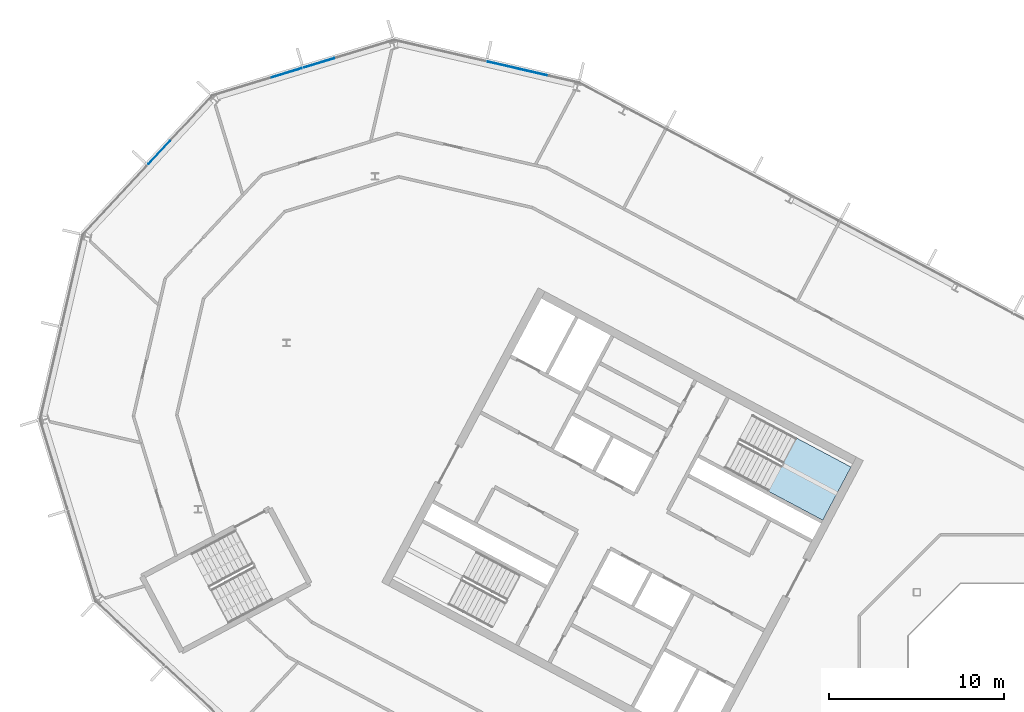
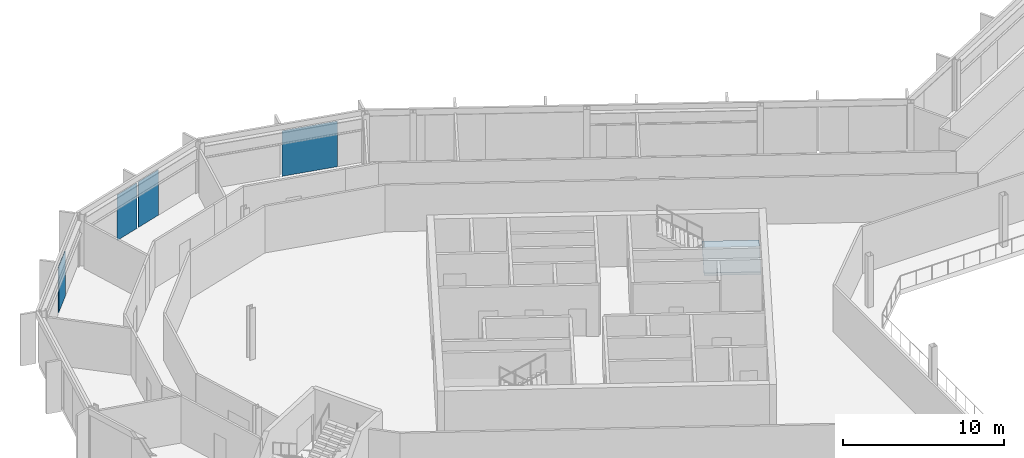
# One storey, part 11 of 26: 4 plates, 1 slab, 4 elements without a shape of their own.
"""IFC4 building model written with IfcOpenShell, lengths in metres."""

from ifc_helpers import new_model, si_unit, direction, frame, origin, origin_2d, place, context, subcontext, project, spatial, polyline, rectangle, outline, extrude, material, layer, layer_set, type_object, element, aggregate, save


model = new_model("IFC4")

# Units and contexts
model_context = context("Model", 3, precision=1e-05, world=origin(), true_north=direction((0.0, 1.0)))
body_context = subcontext(model_context, "Body", "Model", "MODEL_VIEW")
ifc_project = project(units=[si_unit("LENGTHUNIT", "METRE"), si_unit("AREAUNIT", "SQUARE_METRE"), si_unit("VOLUMEUNIT", "CUBIC_METRE"), si_unit("PLANEANGLEUNIT", "RADIAN"), si_unit("MASSUNIT", "GRAM", prefix="KILO")], contexts=[model_context])

# Site, building, storey
site_placement = place(None, origin())
site = spatial("IfcSite", under=ifc_project, at=site_placement, CompositionType="ELEMENT")
building_placement = place(site_placement, origin())
building = spatial("IfcBuilding", under=site, at=building_placement, Name="Cormorant Relay Tower", CompositionType="ELEMENT")
storey_placement = place(building_placement, frame((0.0, 0.0, 312.60009765625)))
storey = spatial("IfcBuildingStorey", under=building, at=storey_placement, Name="L71", CompositionType="ELEMENT", Elevation=312.60009765625)

# Curtain wall, plates
ifc_material_1 = material(Name="Aluminium 6063-T6 anodised bronze", Category="aluminium")
ifc_layer_1 = layer(ifc_material_1, 0.199951171875)
ifc_layer_set_1 = layer_set([ifc_layer_1], Name="CW1 unitised bronze curtain wall with vertical fins")
curtain_wall_type = type_object("IfcCurtainWallType", Name="CW1 unitised bronze curtain wall with vertical fins", PredefinedType="NOTDEFINED", material=ifc_layer_set_1)
curtain_wall_1_placement = place(storey_placement, origin())
curtain_wall_1 = element("IfcCurtainWall", 1, at=curtain_wall_1_placement, inside=storey, type_object=curtain_wall_type, Name="CW1 curtain wall 11", PredefinedType="NOTDEFINED")
ifc_material_2 = material(Name="Tinted laminated glass", Category="glass")
ifc_layer_2 = layer(ifc_material_2, 0.0400390625)
ifc_layer_set_2 = layer_set([ifc_layer_2], Name="CW1 tinted vision panel 1800 module")
plate_type_1 = type_object("IfcPlateType", Name="CW1 tinted vision panel 1800 module", PredefinedType="CURTAIN_PANEL", material=ifc_layer_set_2)
plate_1_placement = place(storey_placement, frame((-44.73681640625, 40.82861328125, 0.0), z_axis=(0.0, 0.0, 1.0), x_axis=(-0.956304755963, -0.292371704723, 0.0)))
plate_1 = element("IfcPlate", 2, at=plate_1_placement, type_object=plate_type_1, Name="CW1 panel V01", PredefinedType="CURTAIN_PANEL", context=body_context, shape_type="SweptSolid", body=[
    extrude(rectangle(XDim=1.800048828125, YDim=0.0400390625, at=origin_2d()), origin(), (0.0, 0.0, 1.0), 3.449951171875),
])
plate_2_placement = place(storey_placement, frame((-46.6015625, 40.25830078125, 0.0), z_axis=(0.0, 0.0, 1.0), x_axis=(-0.956304755963, -0.292371704723, 0.0)))
plate_2 = element("IfcPlate", 3, at=plate_2_placement, type_object=plate_type_1, Name="CW1 panel V02", PredefinedType="CURTAIN_PANEL", context=body_context, shape_type="SweptSolid", body=[
    extrude(rectangle(XDim=1.800048828125, YDim=0.0400390625, at=origin_2d()), origin(), (0.0, 0.0, 1.0), 3.449951171875),
])
aggregate(curtain_wall_1, [plate_1, plate_2])

# Curtain wall, plate
curtain_wall_2_placement = place(storey_placement, origin())
curtain_wall_2 = element("IfcCurtainWall", 4, at=curtain_wall_2_placement, inside=storey, type_object=curtain_wall_type, Name="CW1 curtain wall 12", PredefinedType="NOTDEFINED")
plate_3_placement = place(storey_placement, frame((-53.91748046875, 35.68701171875, 0.0), z_axis=(0.0, 0.0, 1.0), x_axis=(-0.681998360062, -0.731353701619, 0.0)))
plate_3 = element("IfcPlate", 5, at=plate_3_placement, type_object=plate_type_1, Name="CW1 panel V01", PredefinedType="CURTAIN_PANEL", context=body_context, shape_type="SweptSolid", body=[
    extrude(rectangle(XDim=1.800048828125, YDim=0.0400390625, at=origin_2d()), origin(), (0.0, 0.0, 1.0), 3.449951171875),
])
aggregate(curtain_wall_2, [plate_3])

curtain_wall_3_placement = place(storey_placement, origin())
curtain_wall_3 = element("IfcCurtainWall", 6, at=curtain_wall_3_placement, inside=storey, type_object=curtain_wall_type, Name="CW1 curtain wall 10", PredefinedType="NOTDEFINED")
ifc_material_3 = material(Name="Tinted laminated glass", Category="glass")
ifc_layer_3 = layer(ifc_material_3, 0.0400390625)
ifc_layer_set_3 = layer_set([ifc_layer_3], Name="CW1 tinted vision panel 3600 module")
plate_type_2 = type_object("IfcPlateType", Name="CW1 tinted vision panel 3600 module", PredefinedType="CURTAIN_PANEL", material=ifc_layer_set_3)
plate_4_placement = place(storey_placement, frame((-33.338134765625, 40.488525390625, 0.0), z_axis=(0.0, 0.0, 1.0), x_axis=(-0.974370064785, 0.224951054344, 0.0)))
plate_4 = element("IfcPlate", 7, at=plate_4_placement, type_object=plate_type_2, Name="CW1 panel V01", PredefinedType="CURTAIN_PANEL", context=body_context, shape_type="SweptSolid", body=[
    extrude(rectangle(XDim=3.60009765625, YDim=0.0400390625, at=origin_2d()), origin(), (0.0, 0.0, 1.0), 3.449951171875),
])
aggregate(curtain_wall_3, [plate_4])

# Stair, slab
ifc_material_4 = material(Name="Concrete 40 MPa", Category="concrete")
stair_type = type_object("IfcStairType", Name="Exit stair 1500", PredefinedType="HALF_TURN_STAIR", material=ifc_material_4)
stair_placement = place(storey_placement, origin())
stair = element("IfcStair", 8, at=stair_placement, inside=storey, type_object=stair_type, Name="L71 Stair", PredefinedType="HALF_TURN_STAIR")
ifc_material_5 = material(Name="Concrete 40 MPa", Category="concrete")
ifc_layer_4 = layer(ifc_material_5, 0.199951171875)
ifc_layer_set_4 = layer_set([ifc_layer_4], Name="Exit stair landing 200")
slab_type = type_object("IfcSlabType", Name="Exit stair landing 200", PredefinedType="LANDING", material=ifc_layer_set_4)
slab_placement = place(storey_placement, frame((0.0, 0.0, 1.75)))
slab = element("IfcSlab", 9, at=slab_placement, type_object=slab_type, Name="A1 landing 1", PredefinedType="LANDING", context=body_context, shape_type="SweptSolid", body=[
    extrude(outline(polyline([(-19.029541015625, 16.29052734375), (-15.89501953125, 14.6240234375), (-14.275390625, 17.670166015625), (-17.40966796875, 19.3369140625), (-19.029541015625, 16.29052734375)])), origin(), (0.0, 0.0, 1.0), 0.199951171875),
])
aggregate(stair, [slab])

save(model, "model.ifc")
